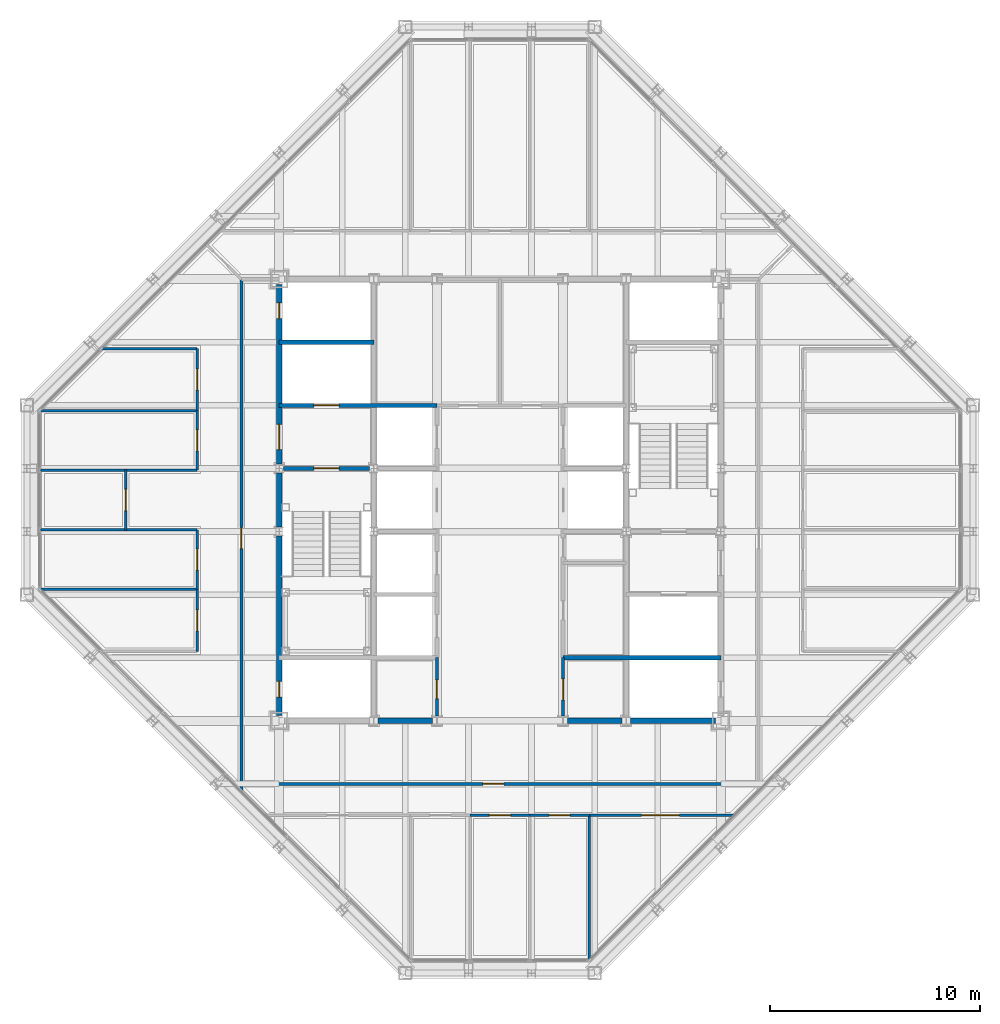
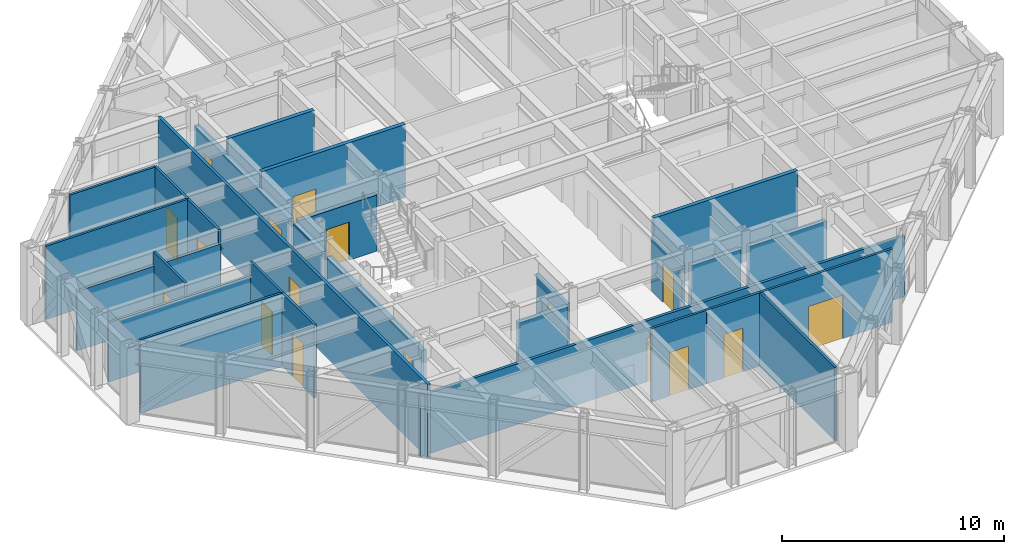
# One storey, part 10 of 15: 28 walls, 17 doors, 17 openings.
"""IFC4 building model written with IfcOpenShell, lengths in metres."""

from ifc_helpers import new_model, si_unit, direction, frame, frame_2d, origin, place, context, subcontext, project, spatial, rectangle, extrude, material, layer, layer_set, type_object, element, fill, save


model = new_model("IFC4")

# Units and contexts
model_context = context("Model", 3, precision=1e-05, world=origin(), true_north=direction((0.0, 1.0)))
body_context = subcontext(model_context, "Body", "Model", "MODEL_VIEW")
ifc_project = project(units=[si_unit("LENGTHUNIT", "METRE"), si_unit("AREAUNIT", "SQUARE_METRE"), si_unit("VOLUMEUNIT", "CUBIC_METRE"), si_unit("PLANEANGLEUNIT", "RADIAN"), si_unit("MASSUNIT", "GRAM", prefix="KILO")], contexts=[model_context])

# Site, building, storey
site_placement = place(None, origin())
site = spatial("IfcSite", under=ifc_project, at=site_placement, CompositionType="ELEMENT")
building_placement = place(site_placement, origin())
building = spatial("IfcBuilding", under=site, at=building_placement, Name="Chuquiago Exchange Tower", CompositionType="ELEMENT")
storey_placement = place(building_placement, frame((0.0, 0.0, 295.800048828125)))
storey = spatial("IfcBuildingStorey", under=building, at=storey_placement, Name="L66", CompositionType="ELEMENT", Elevation=295.800048828125)

# Wall, opening, door
ifc_material_1 = material(Name="Concrete masonry, fully grouted", Category="masonry")
ifc_layer_1 = layer(ifc_material_1, 0.25)
ifc_layer_set_1 = layer_set([ifc_layer_1], Name="W1 core wall 250")
wall_type_1 = type_object("IfcWallType", Name="W1 core wall 250", PredefinedType="SOLIDWALL", material=ifc_layer_set_1)
wall_1_placement = place(storey_placement, frame((12.0, 12.25, 0.0), z_axis=(0.0, 0.0, 1.0), x_axis=(0.0, 1.0, 0.0)))
wall_1 = element("IfcWall", 1, at=wall_1_placement, inside=storey, type_object=wall_type_1, Name="CW-L66-00-0", PredefinedType="SOLIDWALL", context=body_context, shape_type="SweptSolid", body=[
    extrude(rectangle(XDim=8.527587890625, YDim=0.25, at=frame_2d((4.263671875, 0.0))), origin(), (0.0, 0.0, 1.0), 3.11279296875),
])
opening_1_placement = place(wall_1_placement, frame((0.875, 0.0, 0.0)))
opening_1 = element("IfcOpeningElement", 2, at=opening_1_placement, cuts=wall_1, Name="Opening L66-007", PredefinedType="OPENING", context=body_context, shape_type="SweptSolid", body=[
    extrude(rectangle(XDim=0.75, YDim=2.10009765625, at=frame_2d((0.375, 1.050048828125))), frame((0.0, 0.135009765625, 0.0), z_axis=(0.0, -1.0, 0.0), x_axis=(1.0, 0.0, 0.0)), (0.0, 0.0, 1.0), 0.27001953125),
])
ifc_material_2 = material(Name="Steel door, painted", Category="steel")
door_type_1 = type_object("IfcDoorType", Name="D6 riser access door 750x2100", OperationType="SINGLE_SWING_LEFT", PredefinedType="DOOR", material=ifc_material_2)
door_1_placement = place(opening_1_placement, frame((0.75, 0.0, 0.0), z_axis=(0.0, 0.0, 1.0), x_axis=(-1.0, 0.0, 0.0)))
door_1 = element("IfcDoor", 3, at=door_1_placement, inside=storey, type_object=door_type_1, Name="Riser RW1 door", OperationType="SINGLE_SWING_RIGHT", OverallHeight=2.10009765625, OverallWidth=0.75, PredefinedType="DOOR", context=body_context, shape_type="SweptSolid", body=[
    extrude(rectangle(XDim=0.75, YDim=2.10009765625, at=frame_2d((0.375, 1.050048828125))), frame((0.0, 0.02490234375, 0.0), z_axis=(0.0, -1.0, 0.0), x_axis=(1.0, 0.0, 0.0)), (0.0, 0.0, 1.0), 0.050048828125),
])
fill(opening_1, door_1)

# Wall
wall_2_placement = place(storey_placement, frame((12.0, 21.222412109375, 0.0), z_axis=(0.0, 0.0, 1.0), x_axis=(0.0, 1.0, 0.0)))
element("IfcWall", 4, at=wall_2_placement, inside=storey, type_object=wall_type_1, Name="CW-L66-00-1", PredefinedType="SOLIDWALL", context=body_context, shape_type="SweptSolid", body=[
    extrude(rectangle(XDim=2.55517578125, YDim=0.25, at=frame_2d((1.277587890625, 0.0))), origin(), (0.0, 0.0, 1.0), 3.11279296875),
])

# Wall, openings, doors
wall_3_placement = place(storey_placement, frame((12.0, 24.222412109375, 0.0), z_axis=(0.0, 0.0, 1.0), x_axis=(0.0, 1.0, 0.0)))
wall_3 = element("IfcWall", 5, at=wall_3_placement, inside=storey, type_object=wall_type_1, Name="CW-L66-00-2", PredefinedType="SOLIDWALL", context=body_context, shape_type="SweptSolid", body=[
    extrude(rectangle(XDim=8.527587890625, YDim=0.25, at=frame_2d((4.263671875, 0.0))), origin(), (0.0, 0.0, 1.0), 3.11279296875),
])
opening_2_placement = place(wall_3_placement, frame((0.677734375, 0.0, 0.0)))
opening_2 = element("IfcOpeningElement", 6, at=opening_2_placement, cuts=wall_3, Name="Opening L66-002", PredefinedType="OPENING", context=body_context, shape_type="SweptSolid", body=[
    extrude(rectangle(XDim=1.199951171875, YDim=2.10009765625, at=frame_2d((0.60009765625, 1.050048828125))), frame((0.0, 0.135009765625, 0.0), z_axis=(0.0, -1.0, 0.0), x_axis=(1.0, 0.0, 0.0)), (0.0, 0.0, 1.0), 0.27001953125),
])
opening_3_placement = place(wall_3_placement, frame((6.902587890625, 0.0, 0.0)))
opening_3 = element("IfcOpeningElement", 7, at=opening_3_placement, cuts=wall_3, Name="Opening L66-008", PredefinedType="OPENING", context=body_context, shape_type="SweptSolid", body=[
    extrude(rectangle(XDim=0.75, YDim=2.10009765625, at=frame_2d((0.375, 1.050048828125))), frame((0.0, 0.135009765625, 0.0), z_axis=(0.0, -1.0, 0.0), x_axis=(1.0, 0.0, 0.0)), (0.0, 0.0, 1.0), 0.27001953125),
])
ifc_material_3 = material(Name="Steel door, painted", Category="steel")
door_type_2 = type_object("IfcDoorType", Name="D5 firefighting lobby door 1200x2100", OperationType="SINGLE_SWING_LEFT", PredefinedType="DOOR", material=ifc_material_3)
door_2_placement = place(opening_2_placement, frame((1.199951171875, 0.0, 0.0), z_axis=(0.0, 0.0, 1.0), x_axis=(-1.0, 0.0, 0.0)))
door_2 = element("IfcDoor", 8, at=door_2_placement, inside=storey, type_object=door_type_2, Name="Firefighting lobby 1 door", OperationType="SINGLE_SWING_RIGHT", OverallHeight=2.10009765625, OverallWidth=1.199951171875, PredefinedType="DOOR", context=body_context, shape_type="SweptSolid", body=[
    extrude(rectangle(XDim=1.199951171875, YDim=2.10009765625, at=frame_2d((0.60009765625, 1.050048828125))), frame((0.0, 0.02490234375, 0.0), z_axis=(0.0, -1.0, 0.0), x_axis=(1.0, 0.0, 0.0)), (0.0, 0.0, 1.0), 0.050048828125),
])
fill(opening_2, door_2)
door_3_placement = place(opening_3_placement, frame((0.75, 0.0, 0.0), z_axis=(0.0, 0.0, 1.0), x_axis=(-1.0, 0.0, 0.0)))
door_3 = element("IfcDoor", 9, at=door_3_placement, inside=storey, type_object=door_type_1, Name="Riser RW2 door", OperationType="SINGLE_SWING_LEFT", OverallHeight=2.10009765625, OverallWidth=0.75, PredefinedType="DOOR", context=body_context, shape_type="SweptSolid", body=[
    extrude(rectangle(XDim=0.75, YDim=2.10009765625, at=frame_2d((0.375, 1.050048828125))), frame((0.0, 0.02490234375, 0.0), z_axis=(0.0, -1.0, 0.0), x_axis=(1.0, 0.0, 0.0)), (0.0, 0.0, 1.0), 0.050048828125),
])
fill(opening_3, door_3)

# Walls
for number, where, z_axis, x_axis, name in (
    (10, (16.708251953125, 12.0, 0.0), (0.0, 0.0, 1.0), (1.0, 0.0, 0.0), "CW-L66-01-1"),
    (11, (25.708251953125, 12.0, 0.0), (0.0, 0.0, 1.0), (1.0, 0.0, 0.0), "CW-L66-02-0"),
):
    element("IfcWall", number, at=place(storey_placement, frame(where, z_axis=z_axis, x_axis=x_axis)), inside=storey, type_object=wall_type_1, Name=name, PredefinedType="SOLIDWALL", context=body_context, shape_type="SweptSolid", body=[
        extrude(rectangle(XDim=2.58349609375, YDim=0.25, at=frame_2d((1.291748046875, 0.0))), origin(), (0.0, 0.0, 1.0), 3.181396484375),
    ])
wall_4_placement = place(storey_placement, frame((28.708251953125, 12.0, 0.0), z_axis=(0.0, 0.0, 1.0), x_axis=(1.0, 0.0, 0.0)))
element("IfcWall", 12, at=wall_4_placement, inside=storey, type_object=wall_type_1, Name="CW-L66-02-1", PredefinedType="SOLIDWALL", context=body_context, shape_type="SweptSolid", body=[
    extrude(rectangle(XDim=4.041748046875, YDim=0.25, at=frame_2d((2.02099609375, 0.0))), origin(), (0.0, 0.0, 1.0), 3.181396484375),
])

# Wall, opening, door
ifc_material_4 = material(Name="Gypsum board on steel studs, acoustic insulation", Category="steel")
ifc_layer_2 = layer(ifc_material_4, 0.14990234375)
ifc_layer_set_2 = layer_set([ifc_layer_2], Name="W11 corridor wall 150")
wall_type_2 = type_object("IfcWallType", Name="W11 corridor wall 150", PredefinedType="PARTITIONING", material=ifc_layer_set_2)
wall_5_placement = place(storey_placement, frame((9.885498046875, 9.0, 0.0), z_axis=(0.0, 0.0, 1.0), x_axis=(1.0, 0.0, 0.0)))
wall_5 = element("IfcWall", 13, at=wall_5_placement, inside=storey, type_object=wall_type_2, Name="PW-L66-GS0", PredefinedType="PARTITIONING", context=body_context, shape_type="SweptSolid", body=[
    extrude(rectangle(XDim=25.22900390625, YDim=0.14990234375, at=frame_2d((12.614501953125, 0.0))), origin(), (0.0, 0.0, 1.0), 3.346435546875),
])
opening_4_placement = place(wall_5_placement, frame((11.800048828125, 0.0, 0.0)))
opening_4 = element("IfcOpeningElement", 14, at=opening_4_placement, cuts=wall_5, Name="Opening L66-043", PredefinedType="OPENING", context=body_context, shape_type="SweptSolid", body=[
    extrude(rectangle(XDim=1.0, YDim=2.39990234375, at=frame_2d((0.5, 1.199951171875))), frame((0.0, 0.0849609375, 0.0), z_axis=(0.0, -1.0, 0.0), x_axis=(1.0, 0.0, 0.0)), (0.0, 0.0, 1.0), 0.169921875),
])
ifc_material_5 = material(Name="Timber door, laminate faced", Category="wood")
door_type_3 = type_object("IfcDoorType", Name="D9 room door 1000x2400", OperationType="SINGLE_SWING_LEFT", PredefinedType="DOOR", material=ifc_material_5)
door_4_placement = place(opening_4_placement, frame((1.0, 0.0, 0.0), z_axis=(0.0, 0.0, 1.0), x_axis=(-1.0, 0.0, 0.0)))
door_4 = element("IfcDoor", 15, at=door_4_placement, inside=storey, type_object=door_type_3, Name="Team area door", OperationType="SINGLE_SWING_RIGHT", OverallHeight=2.39990234375, OverallWidth=1.0, PredefinedType="DOOR", context=body_context, shape_type="SweptSolid", body=[
    extrude(rectangle(XDim=1.0, YDim=2.39990234375, at=frame_2d((0.5, 1.199951171875))), frame((0.0, 0.02490234375, 0.0), z_axis=(0.0, -1.0, 0.0), x_axis=(1.0, 0.0, 0.0)), (0.0, 0.0, 1.0), 0.050048828125),
])
fill(opening_4, door_4)

wall_6_placement = place(storey_placement, frame((10.199951171875, 8.685546875, 0.0), z_axis=(0.0, 0.0, 1.0), x_axis=(0.0, 1.0, 0.0)))
wall_6 = element("IfcWall", 16, at=wall_6_placement, inside=storey, type_object=wall_type_2, Name="PW-L66-GW0", PredefinedType="PARTITIONING", context=body_context, shape_type="SweptSolid", body=[
    extrude(rectangle(XDim=24.314453125, YDim=0.14990234375, at=frame_2d((12.1572265625, 0.0))), origin(), (0.0, 0.0, 1.0), 4.0400390625),
])
opening_5_placement = place(wall_6_placement, frame((11.5, 0.0, 0.0)))
opening_5 = element("IfcOpeningElement", 17, at=opening_5_placement, cuts=wall_6, Name="Opening L66-044", PredefinedType="OPENING", context=body_context, shape_type="SweptSolid", body=[
    extrude(rectangle(XDim=1.0, YDim=2.39990234375, at=frame_2d((0.5, 1.199951171875))), frame((0.0, 0.0849609375, 0.0), z_axis=(0.0, -1.0, 0.0), x_axis=(1.0, 0.0, 0.0)), (0.0, 0.0, 1.0), 0.169921875),
])
door_5_placement = place(opening_5_placement, origin())
door_5 = element("IfcDoor", 18, at=door_5_placement, inside=storey, type_object=door_type_3, Name="Team area door", OperationType="SINGLE_SWING_LEFT", OverallHeight=2.39990234375, OverallWidth=1.0, PredefinedType="DOOR", context=body_context, shape_type="SweptSolid", body=[
    extrude(rectangle(XDim=1.0, YDim=2.39990234375, at=frame_2d((0.5, 1.199951171875))), frame((0.0, 0.02490234375, 0.0), z_axis=(0.0, -1.0, 0.0), x_axis=(1.0, 0.0, 0.0)), (0.0, 0.0, 1.0), 0.050048828125),
])
fill(opening_5, door_5)

# Wall
ifc_material_6 = material(Name="Concrete masonry, fully grouted", Category="masonry")
ifc_layer_3 = layer(ifc_material_6, 0.199951171875)
ifc_layer_set_3 = layer_set([ifc_layer_3], Name="W2 shaft wall 200")
wall_type_3 = type_object("IfcWallType", Name="W2 shaft wall 200", PredefinedType="SOLIDWALL", material=ifc_layer_set_3)
wall_7_placement = place(storey_placement, frame((25.5, 15.0, 0.0), z_axis=(0.0, 0.0, 1.0), x_axis=(1.0, 0.0, 0.0)))
element("IfcWall", 19, at=wall_7_placement, inside=storey, type_object=wall_type_3, Name="CW-L66-04-0", PredefinedType="SOLIDWALL", context=body_context, shape_type="SweptSolid", body=[
    extrude(rectangle(XDim=7.5, YDim=0.199951171875, at=frame_2d((3.75, 0.0))), origin(), (0.0, 0.0, 1.0), 4.0400390625),
])

# Wall, opening, door
wall_8_placement = place(storey_placement, frame((12.208251953125, 24.0, 0.0), z_axis=(0.0, 0.0, 1.0), x_axis=(1.0, 0.0, 0.0)))
wall_8 = element("IfcWall", 20, at=wall_8_placement, inside=storey, type_object=wall_type_3, Name="CW-L66-05-0", PredefinedType="SOLIDWALL", context=body_context, shape_type="SweptSolid", body=[
    extrude(rectangle(XDim=4.08349609375, YDim=0.199951171875, at=frame_2d((2.041748046875, 0.0))), origin(), (0.0, 0.0, 1.0), 3.08984375),
])
opening_6_placement = place(wall_8_placement, frame((1.441650390625, 0.0, 0.0)))
opening_6 = element("IfcOpeningElement", 21, at=opening_6_placement, cuts=wall_8, Name="Opening L66-001", PredefinedType="OPENING", context=body_context, shape_type="SweptSolid", body=[
    extrude(rectangle(XDim=1.199951171875, YDim=2.10009765625, at=frame_2d((0.60009765625, 1.050048828125))), frame((0.0, 0.10986328125, 0.0), z_axis=(0.0, -1.0, 0.0), x_axis=(1.0, 0.0, 0.0)), (0.0, 0.0, 1.0), 0.219970703125),
])
ifc_material_7 = material(Name="Steel door, painted", Category="steel")
door_type_4 = type_object("IfcDoorType", Name="D4 stair door 1200x2100", OperationType="SINGLE_SWING_LEFT", PredefinedType="DOOR", material=ifc_material_7)
door_6_placement = place(opening_6_placement, frame((1.199951171875, 0.0, 0.0), z_axis=(0.0, 0.0, 1.0), x_axis=(-1.0, 0.0, 0.0)))
door_6 = element("IfcDoor", 22, at=door_6_placement, inside=storey, type_object=door_type_4, Name="Stair ST1 door", OperationType="SINGLE_SWING_LEFT", OverallHeight=2.10009765625, OverallWidth=1.199951171875, PredefinedType="DOOR", context=body_context, shape_type="SweptSolid", body=[
    extrude(rectangle(XDim=1.199951171875, YDim=2.10009765625, at=frame_2d((0.60009765625, 1.050048828125))), frame((0.0, 0.02490234375, 0.0), z_axis=(0.0, -1.0, 0.0), x_axis=(1.0, 0.0, 0.0)), (0.0, 0.0, 1.0), 0.050048828125),
])
fill(opening_6, door_6)

wall_9_placement = place(storey_placement, frame((12.0, 27.0, 0.0), z_axis=(0.0, 0.0, 1.0), x_axis=(1.0, 0.0, 0.0)))
wall_9 = element("IfcWall", 23, at=wall_9_placement, inside=storey, type_object=wall_type_3, Name="CW-L66-07-0", PredefinedType="SOLIDWALL", context=body_context, shape_type="SweptSolid", body=[
    extrude(rectangle(XDim=7.5, YDim=0.199951171875, at=frame_2d((3.75, 0.0))), origin(), (0.0, 0.0, 1.0), 4.0400390625),
])
opening_7_placement = place(wall_9_placement, frame((1.64990234375, 0.0, 0.0)))
opening_7 = element("IfcOpeningElement", 24, at=opening_7_placement, cuts=wall_9, Name="Opening L66-005", PredefinedType="OPENING", context=body_context, shape_type="SweptSolid", body=[
    extrude(rectangle(XDim=1.199951171875, YDim=2.10009765625, at=frame_2d((0.60009765625, 1.050048828125))), frame((0.0, 0.10986328125, 0.0), z_axis=(0.0, -1.0, 0.0), x_axis=(1.0, 0.0, 0.0)), (0.0, 0.0, 1.0), 0.219970703125),
])
ifc_material_8 = material(Name="Stainless steel lift landing door", Category="steel")
door_type_5 = type_object("IfcDoorType", Name="LD2 firefighting lift landing door 1200x2100", OperationType="DOUBLE_DOOR_SLIDING", PredefinedType="DOOR", material=ifc_material_8)
door_7_placement = place(opening_7_placement, origin())
door_7 = element("IfcDoor", 25, at=door_7_placement, inside=storey, type_object=door_type_5, Name="Firefighting lift FL1 landing door", OperationType="DOUBLE_DOOR_SLIDING", OverallHeight=2.10009765625, OverallWidth=1.199951171875, PredefinedType="DOOR", context=body_context, shape_type="SweptSolid", body=[
    extrude(rectangle(XDim=1.199951171875, YDim=2.10009765625, at=frame_2d((0.60009765625, 1.050048828125))), frame((0.0, 0.02490234375, 0.0), z_axis=(0.0, -1.0, 0.0), x_axis=(1.0, 0.0, 0.0)), (0.0, 0.0, 1.0), 0.050048828125),
])
fill(opening_7, door_7)

# Wall
wall_10_placement = place(storey_placement, frame((12.0, 30.0, 0.0), z_axis=(0.0, 0.0, 1.0), x_axis=(1.0, 0.0, 0.0)))
element("IfcWall", 26, at=wall_10_placement, inside=storey, type_object=wall_type_3, Name="CW-L66-09-0", PredefinedType="SOLIDWALL", context=body_context, shape_type="SweptSolid", body=[
    extrude(rectangle(XDim=4.5, YDim=0.199951171875, at=frame_2d((2.25, 0.0))), origin(), (0.0, 0.0, 1.0), 4.0400390625),
])

# Wall, opening, door
ifc_material_9 = material(Name="Gypsum board on steel studs", Category="steel")
ifc_layer_4 = layer(ifc_material_9, 0.14990234375)
ifc_layer_set_4 = layer_set([ifc_layer_4], Name="W3 core partition 150")
wall_type_4 = type_object("IfcWallType", Name="W3 core partition 150", PredefinedType="PARTITIONING", material=ifc_layer_set_4)
wall_11_placement = place(storey_placement, frame((19.5, 12.222412109375, 0.0), z_axis=(0.0, 0.0, 1.0), x_axis=(0.0, 1.0, 0.0)))
wall_11 = element("IfcWall", 27, at=wall_11_placement, inside=storey, type_object=wall_type_4, Name="CW-L66-18-0", PredefinedType="PARTITIONING", context=body_context, shape_type="SweptSolid", body=[
    extrude(rectangle(XDim=2.777587890625, YDim=0.14990234375, at=frame_2d((1.388671875, 0.0))), origin(), (0.0, 0.0, 1.0), 3.064453125),
])
opening_8_placement = place(wall_11_placement, frame((0.82763671875, 0.0, 0.0)))
opening_8 = element("IfcOpeningElement", 28, at=opening_8_placement, cuts=wall_11, Name="Opening L66-016", PredefinedType="OPENING", context=body_context, shape_type="SweptSolid", body=[
    extrude(rectangle(XDim=0.89990234375, YDim=2.10009765625, at=frame_2d((0.449951171875, 1.050048828125))), frame((0.0, 0.0849609375, 0.0), z_axis=(0.0, -1.0, 0.0), x_axis=(1.0, 0.0, 0.0)), (0.0, 0.0, 1.0), 0.169921875),
])
ifc_material_10 = material(Name="Timber door, laminate faced", Category="wood")
door_type_6 = type_object("IfcDoorType", Name="D7 toilet door 900x2100", OperationType="SINGLE_SWING_LEFT", PredefinedType="DOOR", material=ifc_material_10)
door_8_placement = place(opening_8_placement, frame((0.89990234375, 0.0, 0.0), z_axis=(0.0, 0.0, 1.0), x_axis=(-1.0, 0.0, 0.0)))
door_8 = element("IfcDoor", 29, at=door_8_placement, inside=storey, type_object=door_type_6, Name="Cleaner door", OperationType="SINGLE_SWING_RIGHT", OverallHeight=2.10009765625, OverallWidth=0.89990234375, PredefinedType="DOOR", context=body_context, shape_type="SweptSolid", body=[
    extrude(rectangle(XDim=0.89990234375, YDim=2.10009765625, at=frame_2d((0.449951171875, 1.050048828125))), frame((0.0, 0.02490234375, 0.0), z_axis=(0.0, -1.0, 0.0), x_axis=(1.0, 0.0, 0.0)), (0.0, 0.0, 1.0), 0.050048828125),
])
fill(opening_8, door_8)

wall_12_placement = place(storey_placement, frame((25.5, 12.222412109375, 0.0), z_axis=(0.0, 0.0, 1.0), x_axis=(0.0, 1.0, 0.0)))
wall_12 = element("IfcWall", 30, at=wall_12_placement, inside=storey, type_object=wall_type_4, Name="CW-L66-21-0", PredefinedType="PARTITIONING", context=body_context, shape_type="SweptSolid", body=[
    extrude(rectangle(XDim=2.777587890625, YDim=0.14990234375, at=frame_2d((1.388671875, 0.0))), origin(), (0.0, 0.0, 1.0), 3.064453125),
])
opening_9_placement = place(wall_12_placement, frame((0.777587890625, 0.0, 0.0)))
opening_9 = element("IfcOpeningElement", 31, at=opening_9_placement, cuts=wall_12, Name="Opening L66-013", PredefinedType="OPENING", context=body_context, shape_type="SweptSolid", body=[
    extrude(rectangle(XDim=1.0, YDim=2.10009765625, at=frame_2d((0.5, 1.050048828125))), frame((0.0, 0.0849609375, 0.0), z_axis=(0.0, -1.0, 0.0), x_axis=(1.0, 0.0, 0.0)), (0.0, 0.0, 1.0), 0.169921875),
])
ifc_material_11 = material(Name="Timber door, laminate faced", Category="wood")
door_type_7 = type_object("IfcDoorType", Name="D8 accessible toilet door 1000x2100", OperationType="SLIDING_TO_LEFT", PredefinedType="DOOR", material=ifc_material_11)
door_9_placement = place(opening_9_placement, origin())
door_9 = element("IfcDoor", 32, at=door_9_placement, inside=storey, type_object=door_type_7, Name="Accessible WC door", OperationType="SLIDING_TO_LEFT", OverallHeight=2.10009765625, OverallWidth=1.0, PredefinedType="DOOR", context=body_context, shape_type="SweptSolid", body=[
    extrude(rectangle(XDim=1.0, YDim=2.10009765625, at=frame_2d((0.5, 1.050048828125))), frame((0.0, 0.02490234375, 0.0), z_axis=(0.0, -1.0, 0.0), x_axis=(1.0, 0.0, 0.0)), (0.0, 0.0, 1.0), 0.050048828125),
])
fill(opening_9, door_9)

# Wall
ifc_material_12 = material(Name="Gypsum board on steel studs", Category="steel")
ifc_layer_5 = layer(ifc_material_12, 0.1201171875)
ifc_layer_set_5 = layer_set([ifc_layer_5], Name="W4 partition 120")
wall_type_5 = type_object("IfcWallType", Name="W4 partition 120", PredefinedType="PARTITIONING", material=ifc_layer_set_5)
wall_13_placement = place(storey_placement, frame((26.75146484375, 0.666015625, 0.0), z_axis=(0.0, 0.0, 1.0), x_axis=(0.0, 1.0, 0.0)))
element("IfcWall", 33, at=wall_13_placement, inside=storey, type_object=wall_type_5, Name="PW-L66-S02675", PredefinedType="PARTITIONING", context=body_context, shape_type="SweptSolid", body=[
    extrude(rectangle(XDim=6.833984375, YDim=0.1201171875, at=frame_2d((3.4169921875, 0.0))), origin(), (0.0, 0.0, 1.0), 4.0400390625),
])

# Wall, opening, door
wall_14_placement = place(storey_placement, frame((21.082763671875, 7.5, 0.0), z_axis=(0.0, 0.0, 1.0), x_axis=(1.0, 0.0, 0.0)))
wall_14 = element("IfcWall", 34, at=wall_14_placement, inside=storey, type_object=wall_type_5, Name="PW-L66-SF02108", PredefinedType="PARTITIONING", context=body_context, shape_type="SweptSolid", body=[
    extrude(rectangle(XDim=2.83447265625, YDim=0.1201171875, at=frame_2d((1.417236328125, 0.0))), origin(), (0.0, 0.0, 1.0), 4.0400390625),
])
opening_10_placement = place(wall_14_placement, frame((0.917236328125, 0.0, 0.0)))
opening_10 = element("IfcOpeningElement", 35, at=opening_10_placement, cuts=wall_14, Name="Opening L66-025", PredefinedType="OPENING", context=body_context, shape_type="SweptSolid", body=[
    extrude(rectangle(XDim=1.0, YDim=2.39990234375, at=frame_2d((0.5, 1.199951171875))), frame((0.0, 0.070068359375, 0.0), z_axis=(0.0, -1.0, 0.0), x_axis=(1.0, 0.0, 0.0)), (0.0, 0.0, 1.0), 0.14013671875),
])
door_10_placement = place(opening_10_placement, frame((1.0, 0.0, 0.0), z_axis=(0.0, 0.0, 1.0), x_axis=(-1.0, 0.0, 0.0)))
door_10 = element("IfcDoor", 36, at=door_10_placement, inside=storey, type_object=door_type_3, Name="Executive office door", OperationType="SINGLE_SWING_RIGHT", OverallHeight=2.39990234375, OverallWidth=1.0, PredefinedType="DOOR", context=body_context, shape_type="SweptSolid", body=[
    extrude(rectangle(XDim=1.0, YDim=2.39990234375, at=frame_2d((0.5, 1.199951171875))), frame((0.0, 0.02490234375, 0.0), z_axis=(0.0, -1.0, 0.0), x_axis=(1.0, 0.0, 0.0)), (0.0, 0.0, 1.0), 0.050048828125),
])
fill(opening_10, door_10)

wall_15_placement = place(storey_placement, frame((23.917236328125, 7.5, 0.0), z_axis=(0.0, 0.0, 1.0), x_axis=(1.0, 0.0, 0.0)))
wall_15 = element("IfcWall", 37, at=wall_15_placement, inside=storey, type_object=wall_type_5, Name="PW-L66-SF02392", PredefinedType="PARTITIONING", context=body_context, shape_type="SweptSolid", body=[
    extrude(rectangle(XDim=2.834228515625, YDim=0.1201171875, at=frame_2d((1.4169921875, 0.0))), origin(), (0.0, 0.0, 1.0), 4.0400390625),
])
opening_11_placement = place(wall_15_placement, frame((0.9169921875, 0.0, 0.0)))
opening_11 = element("IfcOpeningElement", 38, at=opening_11_placement, cuts=wall_15, Name="Opening L66-026", PredefinedType="OPENING", context=body_context, shape_type="SweptSolid", body=[
    extrude(rectangle(XDim=1.0, YDim=2.39990234375, at=frame_2d((0.5, 1.199951171875))), frame((0.0, 0.070068359375, 0.0), z_axis=(0.0, -1.0, 0.0), x_axis=(1.0, 0.0, 0.0)), (0.0, 0.0, 1.0), 0.14013671875),
])
ifc_material_13 = material(Name="Timber frame door, full height glazed panel", Category="wood")
door_type_8 = type_object("IfcDoorType", Name="D14 glazed meeting room door 1000x2400", OperationType="SINGLE_SWING_LEFT", PredefinedType="DOOR", material=ifc_material_13)
door_11_placement = place(opening_11_placement, frame((1.0, 0.0, 0.0), z_axis=(0.0, 0.0, 1.0), x_axis=(-1.0, 0.0, 0.0)))
door_11 = element("IfcDoor", 39, at=door_11_placement, inside=storey, type_object=door_type_8, Name="Meeting room door", OperationType="SINGLE_SWING_RIGHT", OverallHeight=2.39990234375, OverallWidth=1.0, PredefinedType="DOOR", context=body_context, shape_type="SweptSolid", body=[
    extrude(rectangle(XDim=1.0, YDim=2.39990234375, at=frame_2d((0.5, 1.199951171875))), frame((0.0, 0.02490234375, 0.0), z_axis=(0.0, -1.0, 0.0), x_axis=(1.0, 0.0, 0.0)), (0.0, 0.0, 1.0), 0.050048828125),
])
fill(opening_11, door_11)

wall_16_placement = place(storey_placement, frame((26.75146484375, 7.5, 0.0), z_axis=(0.0, 0.0, 1.0), x_axis=(1.0, 0.0, 0.0)))
wall_16 = element("IfcWall", 40, at=wall_16_placement, inside=storey, type_object=wall_type_5, Name="PW-L66-SF02675", PredefinedType="PARTITIONING", context=body_context, shape_type="SweptSolid", body=[
    extrude(rectangle(XDim=6.863037109375, YDim=0.1201171875, at=frame_2d((3.431640625, 0.0))), origin(), (0.0, 0.0, 1.0), 4.0400390625),
])
opening_12_placement = place(wall_16_placement, frame((2.479248046875, 0.0, 0.0)))
opening_12 = element("IfcOpeningElement", 41, at=opening_12_placement, cuts=wall_16, Name="Opening L66-027", PredefinedType="OPENING", context=body_context, shape_type="SweptSolid", body=[
    extrude(rectangle(XDim=1.800048828125, YDim=2.39990234375, at=frame_2d((0.89990234375, 1.199951171875))), frame((0.0, 0.070068359375, 0.0), z_axis=(0.0, -1.0, 0.0), x_axis=(1.0, 0.0, 0.0)), (0.0, 0.0, 1.0), 0.14013671875),
])
ifc_material_14 = material(Name="Timber door pair, laminate faced", Category="wood")
door_type_9 = type_object("IfcDoorType", Name="D15 double room door 1800x2400", OperationType="DOUBLE_DOOR_DOUBLE_SWING", PredefinedType="DOOR", material=ifc_material_14)
door_12_placement = place(opening_12_placement, origin())
door_12 = element("IfcDoor", 42, at=door_12_placement, inside=storey, type_object=door_type_9, Name="Dining room door", OperationType="DOUBLE_DOOR_DOUBLE_SWING", OverallHeight=2.39990234375, OverallWidth=1.800048828125, PredefinedType="DOOR", context=body_context, shape_type="SweptSolid", body=[
    extrude(rectangle(XDim=1.800048828125, YDim=2.39990234375, at=frame_2d((0.89990234375, 1.199951171875))), frame((0.0, 0.02490234375, 0.0), z_axis=(0.0, -1.0, 0.0), x_axis=(1.0, 0.0, 0.0)), (0.0, 0.0, 1.0), 0.050048828125),
])
fill(opening_12, door_12)

# Walls
wall_17_placement = place(storey_placement, frame((0.666015625, 18.24853515625, 0.0), z_axis=(0.0, 0.0, 1.0), x_axis=(1.0, 0.0, 0.0)))
element("IfcWall", 43, at=wall_17_placement, inside=storey, type_object=wall_type_5, Name="PW-L66-W01825", PredefinedType="PARTITIONING", context=body_context, shape_type="SweptSolid", body=[
    extrude(rectangle(XDim=7.43408203125, YDim=0.1201171875, at=frame_2d((3.717041015625, 0.0))), origin(), (0.0, 0.0, 1.0), 4.0400390625),
])
for number, where, z_axis, x_axis, name in (
    (44, (0.652587890625, 21.082763671875, 0.0), (0.0, 0.0, 1.0), (1.0, 0.0, 0.0), "PW-L66-W02108"),
    (45, (0.652587890625, 23.917236328125, 0.0), (0.0, 0.0, 1.0), (1.0, 0.0, 0.0), "PW-L66-W02392"),
):
    element("IfcWall", number, at=place(storey_placement, frame(where, z_axis=z_axis, x_axis=x_axis)), inside=storey, type_object=wall_type_5, Name=name, PredefinedType="PARTITIONING", context=body_context, shape_type="SweptSolid", body=[
        extrude(rectangle(XDim=7.447509765625, YDim=0.1201171875, at=frame_2d((3.7236328125, 0.0))), origin(), (0.0, 0.0, 1.0), 3.27783203125),
    ])
wall_18_placement = place(storey_placement, frame((0.666015625, 26.75146484375, 0.0), z_axis=(0.0, 0.0, 1.0), x_axis=(1.0, 0.0, 0.0)))
element("IfcWall", 46, at=wall_18_placement, inside=storey, type_object=wall_type_5, Name="PW-L66-W02675", PredefinedType="PARTITIONING", context=body_context, shape_type="SweptSolid", body=[
    extrude(rectangle(XDim=7.43408203125, YDim=0.1201171875, at=frame_2d((3.717041015625, 0.0))), origin(), (0.0, 0.0, 1.0), 4.0400390625),
])
wall_19_placement = place(storey_placement, frame((3.607421875, 29.69287109375, 0.0), z_axis=(0.0, 0.0, 1.0), x_axis=(1.0, 0.0, 0.0)))
element("IfcWall", 47, at=wall_19_placement, inside=storey, type_object=wall_type_5, Name="PW-L66-W02969", PredefinedType="PARTITIONING", context=body_context, shape_type="SweptSolid", body=[
    extrude(rectangle(XDim=4.49267578125, YDim=0.1201171875, at=frame_2d((2.246337890625, 0.0))), origin(), (0.0, 0.0, 1.0), 4.0400390625),
])

# Wall, opening, door
wall_20_placement = place(storey_placement, frame((8.10009765625, 15.30712890625, 0.0), z_axis=(0.0, 0.0, 1.0), x_axis=(0.0, 1.0, 0.0)))
wall_20 = element("IfcWall", 48, at=wall_20_placement, inside=storey, type_object=wall_type_5, Name="PW-L66-WF01531", PredefinedType="PARTITIONING", context=body_context, shape_type="SweptSolid", body=[
    extrude(rectangle(XDim=2.94140625, YDim=0.1201171875, at=frame_2d((1.470703125, 0.0))), origin(), (0.0, 0.0, 1.0), 4.0400390625),
])
opening_13_placement = place(wall_20_placement, frame((0.970703125, 0.0, 0.0)))
opening_13 = element("IfcOpeningElement", 49, at=opening_13_placement, cuts=wall_20, Name="Opening L66-038", PredefinedType="OPENING", context=body_context, shape_type="SweptSolid", body=[
    extrude(rectangle(XDim=1.0, YDim=2.39990234375, at=frame_2d((0.5, 1.199951171875))), frame((0.0, 0.070068359375, 0.0), z_axis=(0.0, -1.0, 0.0), x_axis=(1.0, 0.0, 0.0)), (0.0, 0.0, 1.0), 0.14013671875),
])
door_13_placement = place(opening_13_placement, origin())
door_13 = element("IfcDoor", 50, at=door_13_placement, inside=storey, type_object=door_type_3, Name="Executive office door", OperationType="SINGLE_SWING_RIGHT", OverallHeight=2.39990234375, OverallWidth=1.0, PredefinedType="DOOR", context=body_context, shape_type="SweptSolid", body=[
    extrude(rectangle(XDim=1.0, YDim=2.39990234375, at=frame_2d((0.5, 1.199951171875))), frame((0.0, 0.02490234375, 0.0), z_axis=(0.0, -1.0, 0.0), x_axis=(1.0, 0.0, 0.0)), (0.0, 0.0, 1.0), 0.050048828125),
])
fill(opening_13, door_13)

wall_21_placement = place(storey_placement, frame((8.10009765625, 18.24853515625, 0.0), z_axis=(0.0, 0.0, 1.0), x_axis=(0.0, 1.0, 0.0)))
wall_21 = element("IfcWall", 51, at=wall_21_placement, inside=storey, type_object=wall_type_5, Name="PW-L66-WF01825", PredefinedType="PARTITIONING", context=body_context, shape_type="SweptSolid", body=[
    extrude(rectangle(XDim=2.834228515625, YDim=0.1201171875, at=frame_2d((1.4169921875, 0.0))), origin(), (0.0, 0.0, 1.0), 4.0400390625),
])
opening_14_placement = place(wall_21_placement, frame((0.9169921875, 0.0, 0.0)))
opening_14 = element("IfcOpeningElement", 52, at=opening_14_placement, cuts=wall_21, Name="Opening L66-039", PredefinedType="OPENING", context=body_context, shape_type="SweptSolid", body=[
    extrude(rectangle(XDim=1.0, YDim=2.39990234375, at=frame_2d((0.5, 1.199951171875))), frame((0.0, 0.070068359375, 0.0), z_axis=(0.0, -1.0, 0.0), x_axis=(1.0, 0.0, 0.0)), (0.0, 0.0, 1.0), 0.14013671875),
])
door_14_placement = place(opening_14_placement, origin())
door_14 = element("IfcDoor", 53, at=door_14_placement, inside=storey, type_object=door_type_3, Name="Office door", OperationType="SINGLE_SWING_LEFT", OverallHeight=2.39990234375, OverallWidth=1.0, PredefinedType="DOOR", context=body_context, shape_type="SweptSolid", body=[
    extrude(rectangle(XDim=1.0, YDim=2.39990234375, at=frame_2d((0.5, 1.199951171875))), frame((0.0, 0.02490234375, 0.0), z_axis=(0.0, -1.0, 0.0), x_axis=(1.0, 0.0, 0.0)), (0.0, 0.0, 1.0), 0.050048828125),
])
fill(opening_14, door_14)

wall_22_placement = place(storey_placement, frame((4.699951171875, 21.082763671875, 0.0), z_axis=(0.0, 0.0, 1.0), x_axis=(0.0, 1.0, 0.0)))
wall_22 = element("IfcWall", 54, at=wall_22_placement, inside=storey, type_object=wall_type_5, Name="PW-L66-WF02108", PredefinedType="PARTITIONING", context=body_context, shape_type="SweptSolid", body=[
    extrude(rectangle(XDim=2.83447265625, YDim=0.1201171875, at=frame_2d((1.417236328125, 0.0))), origin(), (0.0, 0.0, 1.0), 4.0400390625),
])
opening_15_placement = place(wall_22_placement, frame((0.917236328125, 0.0, 0.0)))
opening_15 = element("IfcOpeningElement", 55, at=opening_15_placement, cuts=wall_22, Name="Opening L66-040", PredefinedType="OPENING", context=body_context, shape_type="SweptSolid", body=[
    extrude(rectangle(XDim=1.0, YDim=2.39990234375, at=frame_2d((0.5, 1.199951171875))), frame((0.0, 0.070068359375, 0.0), z_axis=(0.0, -1.0, 0.0), x_axis=(1.0, 0.0, 0.0)), (0.0, 0.0, 1.0), 0.14013671875),
])
door_15_placement = place(opening_15_placement, origin())
door_15 = element("IfcDoor", 56, at=door_15_placement, inside=storey, type_object=door_type_3, Name="Pantry door", OperationType="SINGLE_SWING_LEFT", OverallHeight=2.39990234375, OverallWidth=1.0, PredefinedType="DOOR", context=body_context, shape_type="SweptSolid", body=[
    extrude(rectangle(XDim=1.0, YDim=2.39990234375, at=frame_2d((0.5, 1.199951171875))), frame((0.0, 0.02490234375, 0.0), z_axis=(0.0, -1.0, 0.0), x_axis=(1.0, 0.0, 0.0)), (0.0, 0.0, 1.0), 0.050048828125),
])
fill(opening_15, door_15)

wall_23_placement = place(storey_placement, frame((8.10009765625, 23.917236328125, 0.0), z_axis=(0.0, 0.0, 1.0), x_axis=(0.0, 1.0, 0.0)))
wall_23 = element("IfcWall", 57, at=wall_23_placement, inside=storey, type_object=wall_type_5, Name="PW-L66-WF02392", PredefinedType="PARTITIONING", context=body_context, shape_type="SweptSolid", body=[
    extrude(rectangle(XDim=2.834228515625, YDim=0.1201171875, at=frame_2d((1.4169921875, 0.0))), origin(), (0.0, 0.0, 1.0), 4.0400390625),
])
opening_16_placement = place(wall_23_placement, frame((0.9169921875, 0.0, 0.0)))
opening_16 = element("IfcOpeningElement", 58, at=opening_16_placement, cuts=wall_23, Name="Opening L66-041", PredefinedType="OPENING", context=body_context, shape_type="SweptSolid", body=[
    extrude(rectangle(XDim=1.0, YDim=2.39990234375, at=frame_2d((0.5, 1.199951171875))), frame((0.0, 0.070068359375, 0.0), z_axis=(0.0, -1.0, 0.0), x_axis=(1.0, 0.0, 0.0)), (0.0, 0.0, 1.0), 0.14013671875),
])
door_16_placement = place(opening_16_placement, origin())
door_16 = element("IfcDoor", 59, at=door_16_placement, inside=storey, type_object=door_type_3, Name="Office door", OperationType="SINGLE_SWING_LEFT", OverallHeight=2.39990234375, OverallWidth=1.0, PredefinedType="DOOR", context=body_context, shape_type="SweptSolid", body=[
    extrude(rectangle(XDim=1.0, YDim=2.39990234375, at=frame_2d((0.5, 1.199951171875))), frame((0.0, 0.02490234375, 0.0), z_axis=(0.0, -1.0, 0.0), x_axis=(1.0, 0.0, 0.0)), (0.0, 0.0, 1.0), 0.050048828125),
])
fill(opening_16, door_16)

wall_24_placement = place(storey_placement, frame((8.10009765625, 26.75146484375, 0.0), z_axis=(0.0, 0.0, 1.0), x_axis=(0.0, 1.0, 0.0)))
wall_24 = element("IfcWall", 60, at=wall_24_placement, inside=storey, type_object=wall_type_5, Name="PW-L66-WF02675", PredefinedType="PARTITIONING", context=body_context, shape_type="SweptSolid", body=[
    extrude(rectangle(XDim=2.94140625, YDim=0.1201171875, at=frame_2d((1.470703125, 0.0))), origin(), (0.0, 0.0, 1.0), 4.0400390625),
])
opening_17_placement = place(wall_24_placement, frame((0.970703125, 0.0, 0.0)))
opening_17 = element("IfcOpeningElement", 61, at=opening_17_placement, cuts=wall_24, Name="Opening L66-042", PredefinedType="OPENING", context=body_context, shape_type="SweptSolid", body=[
    extrude(rectangle(XDim=1.0, YDim=2.39990234375, at=frame_2d((0.5, 1.199951171875))), frame((0.0, 0.070068359375, 0.0), z_axis=(0.0, -1.0, 0.0), x_axis=(1.0, 0.0, 0.0)), (0.0, 0.0, 1.0), 0.14013671875),
])
door_17_placement = place(opening_17_placement, origin())
door_17 = element("IfcDoor", 62, at=door_17_placement, inside=storey, type_object=door_type_3, Name="Executive office door", OperationType="SINGLE_SWING_LEFT", OverallHeight=2.39990234375, OverallWidth=1.0, PredefinedType="DOOR", context=body_context, shape_type="SweptSolid", body=[
    extrude(rectangle(XDim=1.0, YDim=2.39990234375, at=frame_2d((0.5, 1.199951171875))), frame((0.0, 0.02490234375, 0.0), z_axis=(0.0, -1.0, 0.0), x_axis=(1.0, 0.0, 0.0)), (0.0, 0.0, 1.0), 0.050048828125),
])
fill(opening_17, door_17)

save(model, "model.ifc")
